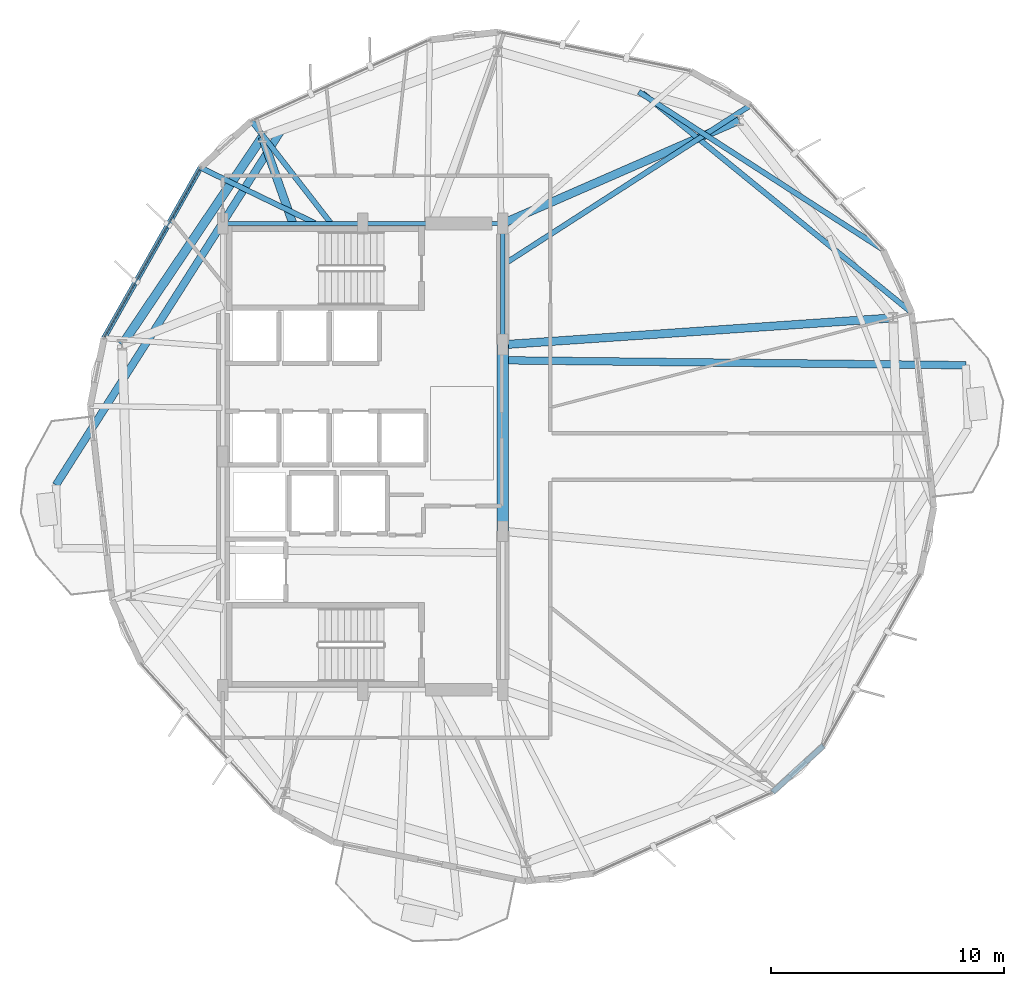
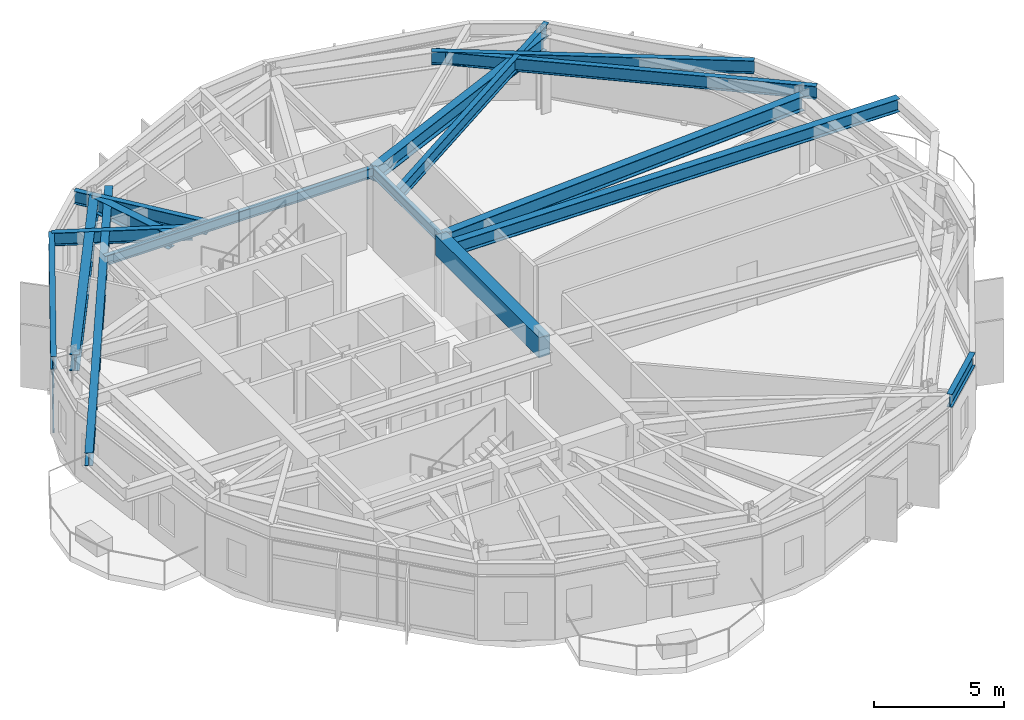
# One storey, part 9 of 23: 17 beams, 3 members, 1 element without a shape of its own.
"""IFC4 building model written with IfcOpenShell, lengths in metres."""

from ifc_helpers import new_model, si_unit, direction, frame, origin, origin_2d, place, context, subcontext, project, spatial, rectangle, hollow_rectangle, i_section, extrude, material, layer, layer_set, material_profile, profile_set, type_object, element, aggregate, save


model = new_model("IFC4")

# Units and contexts
model_context = context("Model", 3, precision=1e-05, world=origin(), true_north=direction((0.0, 1.0)))
body_context = subcontext(model_context, "Body", "Model", "MODEL_VIEW")
ifc_project = project(units=[si_unit("LENGTHUNIT", "METRE"), si_unit("AREAUNIT", "SQUARE_METRE"), si_unit("VOLUMEUNIT", "CUBIC_METRE"), si_unit("PLANEANGLEUNIT", "RADIAN"), si_unit("MASSUNIT", "GRAM", prefix="KILO")], contexts=[model_context])

# Site, building, storey
site_placement = place(None, origin())
site = spatial("IfcSite", under=ifc_project, at=site_placement, CompositionType="ELEMENT")
building_placement = place(site_placement, origin())
building = spatial("IfcBuilding", under=site, at=building_placement, Name="Soratama Intermodal Tower", CompositionType="ELEMENT")
storey_placement = place(building_placement, frame((0.0, 0.0, 122.5)))
storey = spatial("IfcBuildingStorey", under=building, at=storey_placement, Name="L29", CompositionType="ELEMENT", Elevation=122.5)

# Beams
ifc_material_1 = material(Name="Structural steel ASTM A992 Grade 50", Category="steel")
ifc_material_profile_1 = material_profile(ifc_material_1, i_section(OverallWidth=0.324951171875, OverallDepth=0.615966796875, WebThickness=0.013916015625, FlangeThickness=0.021484375, FilletRadius=0.013916015625, at=origin_2d()), Name="W24X117")
ifc_profile_set_1 = profile_set([ifc_material_profile_1], Name="Structural steel ASTM A992 Grade 50")
beam_type_1 = type_object("IfcBeamType", Name="BM-CANT-W24X117", PredefinedType="BEAM", material=ifc_profile_set_1)
beam_1_placement = place(storey_placement, frame((44.8349609375, 29.1298828125, 3.2919921875), z_axis=(0.999943329413, -0.010646030397, 0.0), x_axis=(0.010646030397, 0.999943329413, 0.0)))
element("IfcBeam", 1, at=beam_1_placement, inside=storey, type_object=beam_type_1, Name="BM-L29-CANT-1-2", PredefinedType="BEAM", context=body_context, shape_type="SweptSolid", body=[
    extrude(i_section(OverallWidth=0.324951171875, OverallDepth=0.615966796875, WebThickness=0.013916015625, FlangeThickness=0.021484375, FilletRadius=0.013916015625, at=origin_2d()), origin(), (0.0, 0.0, 1.0), 19.63037109375),
])
beam_2_placement = place(storey_placement, frame((35.10107421875, 38.98193359375, 3.2919921875), z_axis=(-0.536428908615, -0.843945511276, 0.0), x_axis=(0.843945511276, -0.536428908615, 0.0)))
element("IfcBeam", 2, at=beam_2_placement, inside=storey, type_object=beam_type_1, Name="BM-L29-CANT-2-1", PredefinedType="BEAM", context=body_context, shape_type="SweptSolid", body=[
    extrude(i_section(OverallWidth=0.324951171875, OverallDepth=0.615966796875, WebThickness=0.013916015625, FlangeThickness=0.021484375, FilletRadius=0.013916015625, at=origin_2d()), origin(), (0.0, 0.0, 1.0), 18.00830078125),
])
ifc_material_2 = material(Name="Concrete f'c 56 MPa", Category="concrete")
ifc_material_profile_2 = material_profile(ifc_material_2, rectangle(XDim=0.5, YDim=0.949951171875, at=origin_2d()), Name="RC500X950")
ifc_profile_set_2 = profile_set([ifc_material_profile_2], Name="Concrete f'c 56 MPa")
beam_type_2 = type_object("IfcBeamType", Name="BM-CPL-RC500X950", PredefinedType="BEAM", material=ifc_profile_set_2)
beam_3_placement = place(storey_placement, frame((44.60009765625, 21.800048828125, 3.125), z_axis=(0.0, 1.0, 0.0), x_axis=(-1.0, 0.0, 0.0)))
element("IfcBeam", 3, at=beam_3_placement, inside=storey, type_object=beam_type_2, Name="L29 Core Coupling Beam East", PredefinedType="BEAM", context=body_context, shape_type="SweptSolid", body=[
    extrude(rectangle(XDim=0.5, YDim=0.949951171875, at=origin_2d()), origin(), (0.0, 0.0, 1.0), 8.0),
])
ifc_material_3 = material(Name="Structural steel ASTM A992 Grade 50", Category="steel")
ifc_material_profile_3 = material_profile(ifc_material_3, i_section(OverallWidth=0.19091796875, OverallDepth=0.4599609375, WebThickness=0.010009765625, FlangeThickness=0.01611328125, FilletRadius=0.010986328125, at=origin_2d()), Name="W18X55")
ifc_profile_set_3 = profile_set([ifc_material_profile_3], Name="Structural steel ASTM A992 Grade 50")
beam_type_3 = type_object("IfcBeamType", Name="BM-FLR-W18X55", PredefinedType="BEAM", material=ifc_profile_set_3)
beam_4_placement = place(storey_placement, frame((44.60009765625, 29.800048828125, 3.3701171875), z_axis=(0.0, 1.0, 0.0), x_axis=(-1.0, 0.0, 0.0)))
element("IfcBeam", 4, at=beam_4_placement, inside=storey, type_object=beam_type_3, Name="BM-L29-CRING-05", PredefinedType="BEAM", context=body_context, shape_type="SweptSolid", body=[
    extrude(i_section(OverallWidth=0.19091796875, OverallDepth=0.4599609375, WebThickness=0.010009765625, FlangeThickness=0.01611328125, FilletRadius=0.010986328125, at=origin_2d()), origin(), (0.0, 0.0, 1.0), 5.199951171875),
])
for number, where, z_axis, x_axis, name in (
    (5, (44.60009765625, 35.0, 3.3701171875), (-1.0, 0.0, 0.0), (0.0, -1.0, 0.0), "BM-L29-CRING-06"),
    (6, (38.60009765625, 35.0, 3.3701171875), (-1.0, 0.0, 0.0), (0.0, -1.0, 0.0), "BM-L29-CRING-07"),
):
    element("IfcBeam", number, at=place(storey_placement, frame(where, z_axis=z_axis, x_axis=x_axis)), inside=storey, type_object=beam_type_3, Name=name, PredefinedType="BEAM", context=body_context, shape_type="SweptSolid", body=[
        extrude(i_section(OverallWidth=0.19091796875, OverallDepth=0.4599609375, WebThickness=0.010009765625, FlangeThickness=0.01611328125, FilletRadius=0.010986328125, at=origin_2d()), origin(), (0.0, 0.0, 1.0), 6.0),
    ])
ifc_material_4 = material(Name="Structural steel ASTM A992 Grade 50", Category="steel")
ifc_material_profile_4 = material_profile(ifc_material_4, i_section(OverallWidth=0.35498046875, OverallDepth=0.695068359375, WebThickness=0.015380859375, FlangeThickness=0.02490234375, FilletRadius=0.01611328125, at=origin_2d()), Name="W27X146")
ifc_profile_set_4 = profile_set([ifc_material_profile_4], Name="Structural steel ASTM A992 Grade 50")
beam_type_4 = type_object("IfcBeamType", Name="BM-RING-W27X146", PredefinedType="BEAM", material=ifc_profile_set_4)
beam_5_placement = place(storey_placement, frame((44.60009765625, 29.800048828125, 3.25244140625), z_axis=(0.99764812202, 0.06854359656, 0.0), x_axis=(-0.06854359656, 0.99764812202, 0.0)))
element("IfcBeam", 7, at=beam_5_placement, inside=storey, type_object=beam_type_4, Name="BM-L29-RAD-01", PredefinedType="BEAM", context=body_context, shape_type="SweptSolid", body=[
    extrude(i_section(OverallWidth=0.35498046875, OverallDepth=0.695068359375, WebThickness=0.015380859375, FlangeThickness=0.02490234375, FilletRadius=0.01611328125, at=origin_2d()), origin(), (0.0, 0.0, 1.0), 16.79052734375),
])
beam_6_placement = place(storey_placement, frame((44.60009765625, 35.0, 3.25244140625), z_axis=(0.91638224797, 0.400304353718, 0.0), x_axis=(-0.400304353718, 0.91638224797, 0.0)))
element("IfcBeam", 8, at=beam_6_placement, inside=storey, type_object=beam_type_4, Name="BM-L29-RAD-02", PredefinedType="BEAM", context=body_context, shape_type="SweptSolid", body=[
    extrude(i_section(OverallWidth=0.35498046875, OverallDepth=0.695068359375, WebThickness=0.015380859375, FlangeThickness=0.02490234375, FilletRadius=0.01611328125, at=origin_2d()), origin(), (0.0, 0.0, 1.0), 11.05419921875),
])
beam_7_placement = place(storey_placement, frame((35.60009765625, 35.0, 3.25244140625), z_axis=(-0.333332697239, 0.942809266475, 0.0), x_axis=(-0.942809266475, -0.333332697239, 0.0)))
element("IfcBeam", 9, at=beam_7_placement, inside=storey, type_object=beam_type_4, Name="BM-L29-RAD-04", PredefinedType="BEAM", context=body_context, shape_type="SweptSolid", body=[
    extrude(i_section(OverallWidth=0.35498046875, OverallDepth=0.695068359375, WebThickness=0.015380859375, FlangeThickness=0.02490234375, FilletRadius=0.01611328125, at=origin_2d()), origin(), (0.0, 0.0, 1.0), 3.93603515625),
])
ifc_material_5 = material(Name="Structural steel ASTM A992 Grade 50", Category="steel")
ifc_material_profile_5 = material_profile(ifc_material_5, i_section(OverallWidth=0.382080078125, OverallDepth=0.779052734375, WebThickness=0.01806640625, FlangeThickness=0.030029296875, FilletRadius=0.01806640625, at=origin_2d()), Name="W30X191")
ifc_profile_set_5 = profile_set([ifc_material_profile_5], Name="Structural steel ASTM A992 Grade 50")
beam_type_5 = type_object("IfcBeamType", Name="BM-RING-W30X191", PredefinedType="BEAM", material=ifc_profile_set_5)
beam_8_placement = place(storey_placement, frame((34.2880859375, 38.7109375, 3.21044921875), z_axis=(-0.559249807749, -0.828999187293, 0.0), x_axis=(0.828999187293, -0.559249807749, 0.0)))
element("IfcBeam", 10, at=beam_8_placement, inside=storey, type_object=beam_type_5, Name="BM-L29-RING-04", PredefinedType="BEAM", context=body_context, shape_type="SweptSolid", body=[
    extrude(i_section(OverallWidth=0.382080078125, OverallDepth=0.779052734375, WebThickness=0.01806640625, FlangeThickness=0.030029296875, FilletRadius=0.01806640625, at=origin_2d()), origin(), (0.0, 0.0, 1.0), 10.75390625),
])
ifc_material_6 = material(Name="Structural steel ASTM A992 Grade 50", Category="steel")
ifc_material_profile_6 = material_profile(ifc_material_6, i_section(OverallWidth=0.22900390625, OverallDepth=0.612060546875, WebThickness=0.011962890625, FlangeThickness=0.01953125, FilletRadius=0.012939453125, at=origin_2d()), Name="W24X84")
ifc_profile_set_6 = profile_set([ifc_material_profile_6], Name="Structural steel ASTM A992 Grade 50")
beam_type_6 = type_object("IfcBeamType", Name="BM-SPN-W24X84", PredefinedType="SPANDREL", material=ifc_profile_set_6)
beam_9_placement = place(storey_placement, frame((31.638916015625, 37.39501953125, 3.2939453125), z_axis=(-0.492766308142, -0.87016168932, 0.0), x_axis=(0.87016168932, -0.492766308142, 0.0)))
element("IfcBeam", 11, at=beam_9_placement, inside=storey, type_object=beam_type_6, Name="BS-L29-F04", PredefinedType="SPANDREL", context=body_context, shape_type="SweptSolid", body=[
    extrude(i_section(OverallWidth=0.22900390625, OverallDepth=0.612060546875, WebThickness=0.011962890625, FlangeThickness=0.01953125, FilletRadius=0.012939453125, at=origin_2d()), origin(), (0.0, 0.0, 1.0), 8.4052734375),
])
beam_10_placement = place(storey_placement, frame((56.174072265625, 10.60107421875, 3.2939453125), z_axis=(0.737297615641, 0.675568076488, 0.0), x_axis=(-0.675568076488, 0.737297615641, 0.0)))
element("IfcBeam", 12, at=beam_10_placement, inside=storey, type_object=beam_type_6, Name="BS-L29-CRN08", PredefinedType="SPANDREL", context=body_context, shape_type="SweptSolid", body=[
    extrude(i_section(OverallWidth=0.22900390625, OverallDepth=0.612060546875, WebThickness=0.011962890625, FlangeThickness=0.01953125, FilletRadius=0.012939453125, at=origin_2d()), origin(), (0.0, 0.0, 1.0), 2.96630859375),
])
ifc_material_7 = material(Name="Structural steel ASTM A992 Grade 50", Category="steel")
ifc_material_profile_7 = material_profile(ifc_material_7, i_section(OverallWidth=0.22900390625, OverallDepth=0.612060546875, WebThickness=0.011962890625, FlangeThickness=0.01953125, FilletRadius=0.012939453125, at=origin_2d()), Name="W24X84")
ifc_profile_set_7 = profile_set([ifc_material_profile_7], Name="Structural steel ASTM A992 Grade 50")
beam_type_7 = type_object("IfcBeamType", Name="BM-TIE-W24X84", PredefinedType="BEAM", material=ifc_profile_set_7)
beam_11_placement = place(storey_placement, frame((50.43896484375, 40.64404296875, 3.2939453125), z_axis=(0.840061304705, -0.542491478585, 0.0), x_axis=(0.542491478585, 0.840061304705, 0.0)))
element("IfcBeam", 13, at=beam_11_placement, inside=storey, type_object=beam_type_7, Name="BM-L29-TIE0-01", PredefinedType="BEAM", context=body_context, shape_type="SweptSolid", body=[
    extrude(i_section(OverallWidth=0.22900390625, OverallDepth=0.612060546875, WebThickness=0.011962890625, FlangeThickness=0.01953125, FilletRadius=0.012939453125, at=origin_2d()), origin(), (0.0, 0.0, 1.0), 12.47412109375),
])
beam_12_placement = place(storey_placement, frame((44.634033203125, 33.237060546875, 3.2939453125), z_axis=(0.840452394985, 0.541885386188, 0.0), x_axis=(-0.541885386188, 0.840452394985, 0.0)))
element("IfcBeam", 14, at=beam_12_placement, inside=storey, type_object=beam_type_7, Name="BM-L29-TIE1-01", PredefinedType="BEAM", context=body_context, shape_type="SweptSolid", body=[
    extrude(i_section(OverallWidth=0.22900390625, OverallDepth=0.612060546875, WebThickness=0.011962890625, FlangeThickness=0.01953125, FilletRadius=0.012939453125, at=origin_2d()), origin(), (0.0, 0.0, 1.0), 12.62060546875),
])
beam_13_placement = place(storey_placement, frame((37.215087890625, 35.031982421875, 3.2939453125), z_axis=(-0.613111654159, 0.789996265519, 0.0), x_axis=(-0.789996265519, -0.613111654159, 0.0)))
element("IfcBeam", 15, at=beam_13_placement, inside=storey, type_object=beam_type_7, Name="BM-L29-TIE1-03", PredefinedType="BEAM", context=body_context, shape_type="SweptSolid", body=[
    extrude(i_section(OverallWidth=0.22900390625, OverallDepth=0.612060546875, WebThickness=0.011962890625, FlangeThickness=0.01953125, FilletRadius=0.012939453125, at=origin_2d()), origin(), (0.0, 0.0, 1.0), 5.52783203125),
])
beam_14_placement = place(storey_placement, frame((36.5458984375, 35.01708984375, 3.2939453125), z_axis=(-0.899901438986, 0.436093338759, 0.0), x_axis=(-0.436093338759, -0.899901438986, 0.0)))
element("IfcBeam", 16, at=beam_14_placement, inside=storey, type_object=beam_type_7, Name="BM-L29-TIE0-04", PredefinedType="BEAM", context=body_context, shape_type="SweptSolid", body=[
    extrude(i_section(OverallWidth=0.22900390625, OverallDepth=0.612060546875, WebThickness=0.011962890625, FlangeThickness=0.01953125, FilletRadius=0.012939453125, at=origin_2d()), origin(), (0.0, 0.0, 1.0), 5.452880859375),
])
beam_15_placement = place(storey_placement, frame((50.594970703125, 40.594970703125, 3.2939453125), z_axis=(0.77506324131, -0.631883669649, 0.0), x_axis=(0.631883669649, 0.77506324131, 0.0)))
element("IfcBeam", 17, at=beam_15_placement, inside=storey, type_object=beam_type_7, Name="BM-L29-TIE1-10", PredefinedType="BEAM", context=body_context, shape_type="SweptSolid", body=[
    extrude(i_section(OverallWidth=0.22900390625, OverallDepth=0.612060546875, WebThickness=0.011962890625, FlangeThickness=0.01953125, FilletRadius=0.012939453125, at=origin_2d()), origin(), (0.0, 0.0, 1.0), 14.904541015625),
])

# Curtain wall, members
ifc_material_8 = material(Name="Double-glazed aluminium curtain wall", Category="aluminium")
ifc_layer = layer(ifc_material_8, 0.159912109375)
ifc_layer_set = layer_set([ifc_layer], Name="Double-glazed aluminium curtain wall")
curtain_wall_type = type_object("IfcCurtainWallType", Name="CW-SYS-3", PredefinedType="NOTDEFINED", material=ifc_layer_set)
curtain_wall_placement = place(storey_placement, origin())
curtain_wall = element("IfcCurtainWall", 18, at=curtain_wall_placement, inside=storey, type_object=curtain_wall_type, Name="L29 Faceted Curtain Wall F04", PredefinedType="NOTDEFINED")
ifc_material_9 = material(Name="Anodised aluminium AA 6063-T6", Category="aluminium")
ifc_material_profile_8 = material_profile(ifc_material_9, hollow_rectangle(XDim=0.06494140625, YDim=0.14990234375, WallThickness=0.0048828125, InnerFilletRadius=0.0048828125, OuterFilletRadius=0.010009765625, at=origin_2d()), Name="CWT150X65X5")
ifc_profile_set_8 = profile_set([ifc_material_profile_8], Name="Anodised aluminium AA 6063-T6")
member_type = type_object("IfcMemberType", Name="TT-CWT-1", PredefinedType="USERDEFINED", material=ifc_profile_set_8)
member_1_placement = place(storey_placement, frame((31.60888671875, 37.343017578125, 0.030029296875), z_axis=(-0.492717378145, -0.870189396209, 0.0), x_axis=(0.870189396209, -0.492717378145, 0.0)))
member_1 = element("IfcMember", 19, at=member_1_placement, type_object=member_type, Name="CW-3 transom 1.1", ObjectType="TRANSOM", PredefinedType="USERDEFINED", context=body_context, shape_type="SweptSolid", body=[
    extrude(hollow_rectangle(XDim=0.06494140625, YDim=0.14990234375, WallThickness=0.0048828125, InnerFilletRadius=0.0048828125, OuterFilletRadius=0.010009765625, at=origin_2d()), origin(), (0.0, 0.0, 1.0), 8.28515625),
])
member_2_placement = place(storey_placement, frame((31.60888671875, 37.343017578125, 2.14990234375), z_axis=(-0.492717378145, -0.870189396209, 0.0), x_axis=(0.870189396209, -0.492717378145, 0.0)))
member_2 = element("IfcMember", 20, at=member_2_placement, type_object=member_type, Name="CW-3 transom 1.2", ObjectType="TRANSOM", PredefinedType="USERDEFINED", context=body_context, shape_type="SweptSolid", body=[
    extrude(hollow_rectangle(XDim=0.06494140625, YDim=0.14990234375, WallThickness=0.0048828125, InnerFilletRadius=0.0048828125, OuterFilletRadius=0.010009765625, at=origin_2d()), origin(), (0.0, 0.0, 1.0), 8.28515625),
])
member_3_placement = place(storey_placement, frame((31.60888671875, 37.343017578125, 2.948974609375), z_axis=(-0.492717378145, -0.870189396209, 0.0), x_axis=(0.870189396209, -0.492717378145, 0.0)))
member_3 = element("IfcMember", 21, at=member_3_placement, type_object=member_type, Name="CW-3 transom 1.3", ObjectType="TRANSOM", PredefinedType="USERDEFINED", context=body_context, shape_type="SweptSolid", body=[
    extrude(hollow_rectangle(XDim=0.06494140625, YDim=0.14990234375, WallThickness=0.0048828125, InnerFilletRadius=0.0048828125, OuterFilletRadius=0.010009765625, at=origin_2d()), origin(), (0.0, 0.0, 1.0), 8.28515625),
])
aggregate(curtain_wall, [member_1, member_2, member_3])

save(model, "model.ifc")
